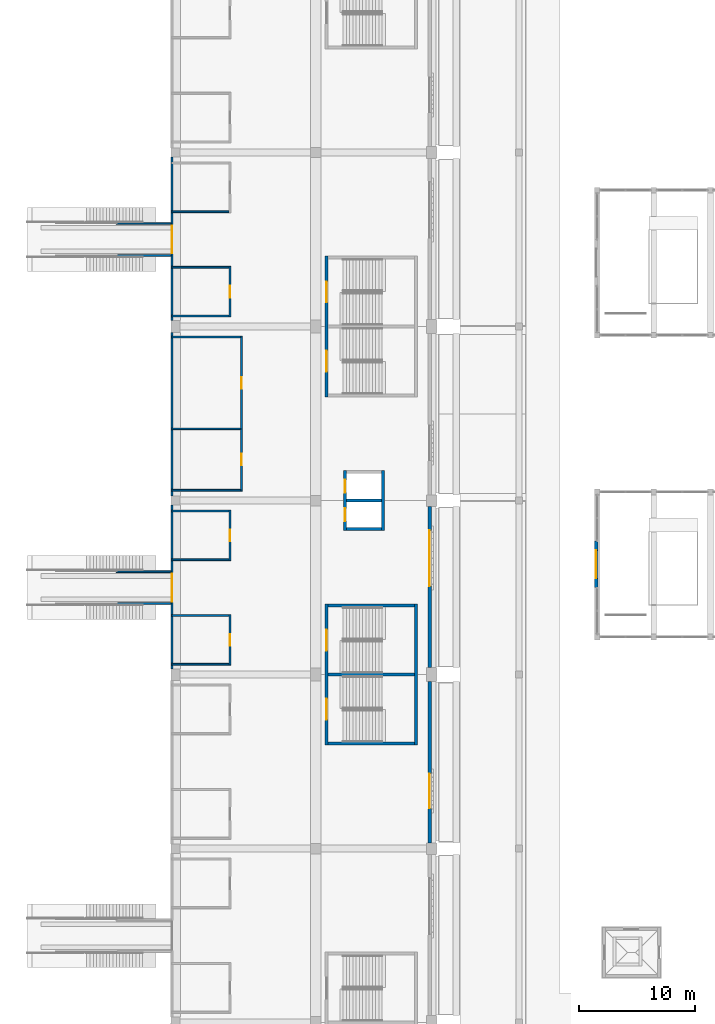
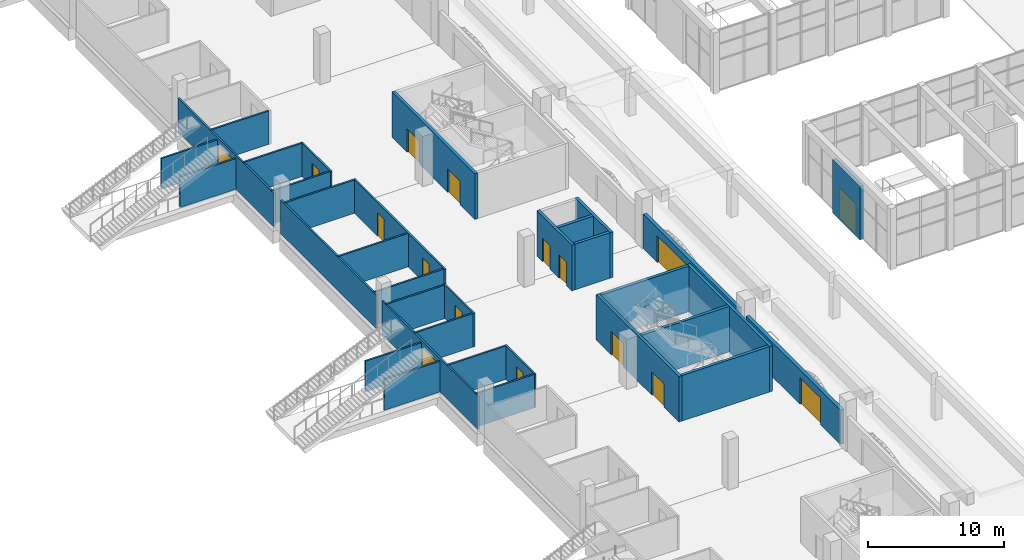
# One storey, part 34 of 175: 34 walls, 16 doors, 16 openings.
"""IFC4 building model written with IfcOpenShell, lengths in metres."""

from ifc_helpers import new_model, si_unit, direction, frame, frame_2d, origin, place, context, subcontext, project, spatial, rectangle, extrude, material, layer, layer_set, type_object, element, fill, save


model = new_model("IFC4")

# Units and contexts
model_context = context("Model", 3, precision=1e-05, world=origin(), true_north=direction((0.0, 1.0)))
body_context = subcontext(model_context, "Body", "Model", "MODEL_VIEW")
ifc_project = project(units=[si_unit("LENGTHUNIT", "METRE"), si_unit("AREAUNIT", "SQUARE_METRE"), si_unit("VOLUMEUNIT", "CUBIC_METRE"), si_unit("PLANEANGLEUNIT", "RADIAN"), si_unit("MASSUNIT", "GRAM", prefix="KILO")], contexts=[model_context])

# Site, building, storey
site_placement = place(None, origin())
site = spatial("IfcSite", under=ifc_project, at=site_placement, CompositionType="ELEMENT")
building_placement = place(site_placement, origin())
building = spatial("IfcBuilding", under=site, at=building_placement, Name="Ogive Plaza Stadium", CompositionType="ELEMENT")
storey_placement = place(building_placement, origin())
storey = spatial("IfcBuildingStorey", under=building, at=storey_placement, Name="L00", CompositionType="ELEMENT", Elevation=0.0)

# Wall, opening, door
ifc_material_1 = material(Name="Masonry blockwork", Category="masonry")
ifc_layer_1 = layer(ifc_material_1, 0.14990234375)
ifc_layer_set_1 = layer_set([ifc_layer_1], Name="Blockwork wall 150")
wall_type_1 = type_object("IfcWallType", Name="Blockwork wall 150", PredefinedType="SOLIDWALL", material=ifc_layer_set_1)
wall_1_placement = place(storey_placement, frame((66.60009765625, 8.324951171875, 0.0), z_axis=(0.0, 0.0, 1.0), x_axis=(0.0, 1.0, 0.0)))
wall_1 = element("IfcWall", 1, at=wall_1_placement, inside=storey, type_object=wall_type_1, Name="Wall L00 B03", PredefinedType="SOLIDWALL", context=body_context, shape_type="SweptSolid", body=[
    extrude(rectangle(XDim=4.35009765625, YDim=0.14990234375, at=frame_2d((2.175048828125, 0.0))), origin(), (0.0, 0.0, 1.0), 3.0),
])
opening_1_placement = place(wall_1_placement, frame((1.675048828125, 0.0, 0.0)))
opening_1 = element("IfcOpeningElement", 2, at=opening_1_placement, cuts=wall_1, Name="Opening D0379", PredefinedType="OPENING", context=body_context, shape_type="SweptSolid", body=[
    extrude(rectangle(XDim=1.0, YDim=2.10009765625, at=frame_2d((0.5, 1.050048828125))), frame((0.0, 0.074951171875, 0.0), z_axis=(0.0, -1.0, 0.0), x_axis=(1.0, 0.0, 0.0)), (0.0, 0.0, 1.0), 0.14990234375),
])
ifc_material_2 = material(Name="Steel ASTM A572 Grade 50", Category="steel")
door_type_1 = type_object("IfcDoorType", Name="Door 1000 x 2100", OperationType="SINGLE_SWING_LEFT", PredefinedType="DOOR", material=ifc_material_2)
door_1_placement = place(opening_1_placement, origin())
door_1 = element("IfcDoor", 3, at=door_1_placement, inside=storey, type_object=door_type_1, Name="Concession Stand B03 door", OperationType="SINGLE_SWING_LEFT", OverallHeight=2.10009765625, OverallWidth=1.0, PredefinedType="DOOR", context=body_context, shape_type="SweptSolid", body=[
    extrude(rectangle(XDim=1.0, YDim=2.10009765625, at=frame_2d((0.5, 1.050048828125))), frame((0.0, 0.02490234375, 0.0), z_axis=(0.0, -1.0, 0.0), x_axis=(1.0, 0.0, 0.0)), (0.0, 0.0, 1.0), 0.050048828125),
])
fill(opening_1, door_1)

# Walls
for number, where, z_axis, x_axis, name in (
    (4, (61.60009765625, 8.39990234375, 0.0), (0.0, 0.0, 1.0), (1.0, 0.0, 0.0), "Wall L00 B03"),
    (5, (61.60009765625, 12.60009765625, 0.0), (0.0, 0.0, 1.0), (1.0, 0.0, 0.0), "Wall L00 B03"),
    (6, (61.60009765625, 17.39990234375, 0.0), (0.0, 0.0, 1.0), (1.0, 0.0, 0.0), "Wall L00 B03"),
):
    element("IfcWall", number, at=place(storey_placement, frame(where, z_axis=z_axis, x_axis=x_axis)), inside=storey, type_object=wall_type_1, Name=name, PredefinedType="SOLIDWALL", context=body_context, shape_type="SweptSolid", body=[
        extrude(rectangle(XDim=4.9248046875, YDim=0.14990234375, at=frame_2d((2.46240234375, 0.0))), origin(), (0.0, 0.0, 1.0), 3.0),
    ])

# Wall, openings, doors
wall_2_placement = place(storey_placement, frame((67.60009765625, 6.675048828125, 0.0), z_axis=(0.0, 0.0, 1.0), x_axis=(0.0, -1.0, 0.0)))
wall_2 = element("IfcWall", 7, at=wall_2_placement, inside=storey, type_object=wall_type_1, Name="Wall L00 B04", PredefinedType="SOLIDWALL", context=body_context, shape_type="SweptSolid", body=[
    extrude(rectangle(XDim=13.35009765625, YDim=0.14990234375, at=frame_2d((6.675048828125, 0.0))), origin(), (0.0, 0.0, 1.0), 3.0),
])
opening_2_placement = place(wall_2_placement, frame((3.534912109375, 0.0, 0.0)))
opening_2 = element("IfcOpeningElement", 8, at=opening_2_placement, cuts=wall_2, Name="Opening D0381", PredefinedType="OPENING", context=body_context, shape_type="SweptSolid", body=[
    extrude(rectangle(XDim=1.0, YDim=2.10009765625, at=frame_2d((0.5, 1.050048828125))), frame((0.0, 0.074951171875, 0.0), z_axis=(0.0, -1.0, 0.0), x_axis=(1.0, 0.0, 0.0)), (0.0, 0.0, 1.0), 0.14990234375),
])
opening_3_placement = place(wall_2_placement, frame((10.135009765625, 0.0, 0.0)))
opening_3 = element("IfcOpeningElement", 9, at=opening_3_placement, cuts=wall_2, Name="Opening D0382", PredefinedType="OPENING", context=body_context, shape_type="SweptSolid", body=[
    extrude(rectangle(XDim=1.0, YDim=2.10009765625, at=frame_2d((0.5, 1.050048828125))), frame((0.0, 0.074951171875, 0.0), z_axis=(0.0, -1.0, 0.0), x_axis=(1.0, 0.0, 0.0)), (0.0, 0.0, 1.0), 0.14990234375),
])
door_2_placement = place(opening_3_placement, origin())
door_2 = element("IfcDoor", 10, at=door_2_placement, inside=storey, type_object=door_type_1, Name="Event Control Room B04 door", OperationType="SINGLE_SWING_LEFT", OverallHeight=2.10009765625, OverallWidth=1.0, PredefinedType="DOOR", context=body_context, shape_type="SweptSolid", body=[
    extrude(rectangle(XDim=1.0, YDim=2.10009765625, at=frame_2d((0.5, 1.050048828125))), frame((0.0, 0.02490234375, 0.0), z_axis=(0.0, -1.0, 0.0), x_axis=(1.0, 0.0, 0.0)), (0.0, 0.0, 1.0), 0.050048828125),
])
fill(opening_3, door_2)
ifc_material_3 = material(Name="Steel ASTM A572 Grade 50", Category="steel")
door_type_2 = type_object("IfcDoorType", Name="Fire door FD60 1000 x 2100", OperationType="SINGLE_SWING_LEFT", PredefinedType="DOOR", material=ifc_material_3)
door_3_placement = place(opening_2_placement, origin())
door_3 = element("IfcDoor", 11, at=door_3_placement, inside=storey, type_object=door_type_2, Name="Fire Command Centre B04 door", OperationType="SINGLE_SWING_RIGHT", OverallHeight=2.10009765625, OverallWidth=1.0, PredefinedType="DOOR", context=body_context, shape_type="SweptSolid", body=[
    extrude(rectangle(XDim=1.0, YDim=2.10009765625, at=frame_2d((0.5, 1.050048828125))), frame((0.0, 0.02490234375, 0.0), z_axis=(0.0, -1.0, 0.0), x_axis=(1.0, 0.0, 0.0)), (0.0, 0.0, 1.0), 0.050048828125),
])
fill(opening_2, door_3)

# Walls
for number, where, z_axis, x_axis, name in (
    (12, (61.60009765625, 6.60009765625, 0.0), (0.0, 0.0, 1.0), (1.0, 0.0, 0.0), "Wall L00 B04"),
    (13, (61.60009765625, -1.320068359375, 0.0), (0.0, 0.0, 1.0), (1.0, 0.0, 0.0), "Wall L00 B04"),
    (14, (61.60009765625, -6.60009765625, 0.0), (0.0, 0.0, 1.0), (1.0, 0.0, 0.0), "Wall L00 B04"),
):
    element("IfcWall", number, at=place(storey_placement, frame(where, z_axis=z_axis, x_axis=x_axis)), inside=storey, type_object=wall_type_1, Name=name, PredefinedType="SOLIDWALL", context=body_context, shape_type="SweptSolid", body=[
        extrude(rectangle(XDim=5.9248046875, YDim=0.14990234375, at=frame_2d((2.96240234375, 0.0))), origin(), (0.0, 0.0, 1.0), 3.0),
    ])

# Wall, opening, door
wall_3_placement = place(storey_placement, frame((66.60009765625, -21.675048828125, 0.0), z_axis=(0.0, 0.0, 1.0), x_axis=(0.0, 1.0, 0.0)))
wall_3 = element("IfcWall", 15, at=wall_3_placement, inside=storey, type_object=wall_type_1, Name="Wall L00 B05", PredefinedType="SOLIDWALL", context=body_context, shape_type="SweptSolid", body=[
    extrude(rectangle(XDim=4.35009765625, YDim=0.14990234375, at=frame_2d((2.175048828125, 0.0))), origin(), (0.0, 0.0, 1.0), 3.0),
])
opening_4_placement = place(wall_3_placement, frame((1.675048828125, 0.0, 0.0)))
opening_4 = element("IfcOpeningElement", 16, at=opening_4_placement, cuts=wall_3, Name="Opening D0383", PredefinedType="OPENING", context=body_context, shape_type="SweptSolid", body=[
    extrude(rectangle(XDim=1.0, YDim=2.10009765625, at=frame_2d((0.5, 1.050048828125))), frame((0.0, 0.074951171875, 0.0), z_axis=(0.0, -1.0, 0.0), x_axis=(1.0, 0.0, 0.0)), (0.0, 0.0, 1.0), 0.14990234375),
])
door_4_placement = place(opening_4_placement, origin())
door_4 = element("IfcDoor", 17, at=door_4_placement, inside=storey, type_object=door_type_1, Name="Concession Stand B05 door", OperationType="SINGLE_SWING_LEFT", OverallHeight=2.10009765625, OverallWidth=1.0, PredefinedType="DOOR", context=body_context, shape_type="SweptSolid", body=[
    extrude(rectangle(XDim=1.0, YDim=2.10009765625, at=frame_2d((0.5, 1.050048828125))), frame((0.0, 0.02490234375, 0.0), z_axis=(0.0, -1.0, 0.0), x_axis=(1.0, 0.0, 0.0)), (0.0, 0.0, 1.0), 0.050048828125),
])
fill(opening_4, door_4)

# Walls
for number, where, z_axis, x_axis, name in (
    (18, (61.60009765625, -21.60009765625, 0.0), (0.0, 0.0, 1.0), (1.0, 0.0, 0.0), "Wall L00 B05"),
    (19, (61.60009765625, -17.39990234375, 0.0), (0.0, 0.0, 1.0), (1.0, 0.0, 0.0), "Wall L00 B05"),
):
    element("IfcWall", number, at=place(storey_placement, frame(where, z_axis=z_axis, x_axis=x_axis)), inside=storey, type_object=wall_type_1, Name=name, PredefinedType="SOLIDWALL", context=body_context, shape_type="SweptSolid", body=[
        extrude(rectangle(XDim=4.9248046875, YDim=0.14990234375, at=frame_2d((2.46240234375, 0.0))), origin(), (0.0, 0.0, 1.0), 3.0),
    ])

# Wall, opening, door
wall_4_placement = place(storey_placement, frame((66.60009765625, -12.675048828125, 0.0), z_axis=(0.0, 0.0, 1.0), x_axis=(0.0, 1.0, 0.0)))
wall_4 = element("IfcWall", 20, at=wall_4_placement, inside=storey, type_object=wall_type_1, Name="Wall L00 B05", PredefinedType="SOLIDWALL", context=body_context, shape_type="SweptSolid", body=[
    extrude(rectangle(XDim=4.35009765625, YDim=0.14990234375, at=frame_2d((2.175048828125, 0.0))), origin(), (0.0, 0.0, 1.0), 3.0),
])
opening_5_placement = place(wall_4_placement, frame((1.675048828125, 0.0, 0.0)))
opening_5 = element("IfcOpeningElement", 21, at=opening_5_placement, cuts=wall_4, Name="Opening D0384", PredefinedType="OPENING", context=body_context, shape_type="SweptSolid", body=[
    extrude(rectangle(XDim=1.0, YDim=2.10009765625, at=frame_2d((0.5, 1.050048828125))), frame((0.0, 0.074951171875, 0.0), z_axis=(0.0, -1.0, 0.0), x_axis=(1.0, 0.0, 0.0)), (0.0, 0.0, 1.0), 0.14990234375),
])
door_5_placement = place(opening_5_placement, origin())
door_5 = element("IfcDoor", 22, at=door_5_placement, inside=storey, type_object=door_type_1, Name="Concession Stand B05 door", OperationType="SINGLE_SWING_RIGHT", OverallHeight=2.10009765625, OverallWidth=1.0, PredefinedType="DOOR", context=body_context, shape_type="SweptSolid", body=[
    extrude(rectangle(XDim=1.0, YDim=2.10009765625, at=frame_2d((0.5, 1.050048828125))), frame((0.0, 0.02490234375, 0.0), z_axis=(0.0, -1.0, 0.0), x_axis=(1.0, 0.0, 0.0)), (0.0, 0.0, 1.0), 0.050048828125),
])
fill(opening_5, door_5)

# Walls
for number, where, z_axis, x_axis, name in (
    (23, (61.60009765625, -12.60009765625, 0.0), (0.0, 0.0, 1.0), (1.0, 0.0, 0.0), "Wall L00 B05"),
    (24, (61.60009765625, -8.39990234375, 0.0), (0.0, 0.0, 1.0), (1.0, 0.0, 0.0), "Wall L00 B05"),
):
    element("IfcWall", number, at=place(storey_placement, frame(where, z_axis=z_axis, x_axis=x_axis)), inside=storey, type_object=wall_type_1, Name=name, PredefinedType="SOLIDWALL", context=body_context, shape_type="SweptSolid", body=[
        extrude(rectangle(XDim=4.9248046875, YDim=0.14990234375, at=frame_2d((2.46240234375, 0.0))), origin(), (0.0, 0.0, 1.0), 3.0),
    ])

# Wall, opening, door
wall_5_placement = place(storey_placement, frame((61.60009765625, 22.10009765625, 0.0), z_axis=(0.0, 0.0, 1.0), x_axis=(0.0, -1.0, 0.0)))
wall_5 = element("IfcWall", 25, at=wall_5_placement, inside=storey, type_object=wall_type_1, Name="Stand rear wall B03", PredefinedType="SOLIDWALL", context=body_context, shape_type="SweptSolid", body=[
    extrude(rectangle(XDim=14.10009765625, YDim=0.14990234375, at=frame_2d((7.050048828125, 0.0))), origin(), (0.0, 0.0, 1.0), 3.0),
])
opening_6_placement = place(wall_5_placement, frame((5.89990234375, 0.0, 0.0)))
opening_6 = element("IfcOpeningElement", 26, at=opening_6_placement, cuts=wall_5, Name="Opening D1038", PredefinedType="OPENING", context=body_context, shape_type="SweptSolid", body=[
    extrude(rectangle(XDim=2.39990234375, YDim=2.39990234375, at=frame_2d((1.199951171875, 1.199951171875))), frame((0.0, 0.074951171875, 0.0), z_axis=(0.0, -1.0, 0.0), x_axis=(1.0, 0.0, 0.0)), (0.0, 0.0, 1.0), 0.14990234375),
])
ifc_material_4 = material(Name="Steel ASTM A572 Grade 50", Category="steel")
door_type_3 = type_object("IfcDoorType", Name="Service door pair 2400 x 2400", OperationType="DOUBLE_DOOR_SINGLE_SWING", PredefinedType="DOOR", material=ifc_material_4)
door_6_placement = place(opening_6_placement, origin())
door_6 = element("IfcDoor", 27, at=door_6_placement, inside=storey, type_object=door_type_3, Name="Vomitory portal door B03", OperationType="DOUBLE_DOOR_SINGLE_SWING", OverallHeight=2.39990234375, OverallWidth=2.39990234375, PredefinedType="DOOR", context=body_context, shape_type="SweptSolid", body=[
    extrude(rectangle(XDim=2.39990234375, YDim=2.39990234375, at=frame_2d((1.199951171875, 1.199951171875))), frame((0.0, 0.02490234375, 0.0), z_axis=(0.0, -1.0, 0.0), x_axis=(1.0, 0.0, 0.0)), (0.0, 0.0, 1.0), 0.050048828125),
])
fill(opening_6, door_6)

# Wall
wall_6_placement = place(storey_placement, frame((61.60009765625, 7.0, 0.0), z_axis=(0.0, 0.0, 1.0), x_axis=(0.0, -1.0, 0.0)))
element("IfcWall", 28, at=wall_6_placement, inside=storey, type_object=wall_type_1, Name="Stand rear wall B04", PredefinedType="SOLIDWALL", context=body_context, shape_type="SweptSolid", body=[
    extrude(rectangle(XDim=14.10009765625, YDim=0.14990234375, at=frame_2d((7.050048828125, 0.0))), origin(), (0.0, 0.0, 1.0), 3.0),
])

# Wall, opening, door
wall_7_placement = place(storey_placement, frame((61.60009765625, -7.89990234375, 0.0), z_axis=(0.0, 0.0, 1.0), x_axis=(0.0, -1.0, 0.0)))
wall_7 = element("IfcWall", 29, at=wall_7_placement, inside=storey, type_object=wall_type_1, Name="Stand rear wall B05", PredefinedType="SOLIDWALL", context=body_context, shape_type="SweptSolid", body=[
    extrude(rectangle(XDim=14.10009765625, YDim=0.14990234375, at=frame_2d((7.050048828125, 0.0))), origin(), (0.0, 0.0, 1.0), 3.0),
])
opening_7_placement = place(wall_7_placement, frame((5.89990234375, 0.0, 0.0)))
opening_7 = element("IfcOpeningElement", 30, at=opening_7_placement, cuts=wall_7, Name="Opening D1039", PredefinedType="OPENING", context=body_context, shape_type="SweptSolid", body=[
    extrude(rectangle(XDim=2.39990234375, YDim=2.39990234375, at=frame_2d((1.199951171875, 1.199951171875))), frame((0.0, 0.074951171875, 0.0), z_axis=(0.0, -1.0, 0.0), x_axis=(1.0, 0.0, 0.0)), (0.0, 0.0, 1.0), 0.14990234375),
])
door_7_placement = place(opening_7_placement, origin())
door_7 = element("IfcDoor", 31, at=door_7_placement, inside=storey, type_object=door_type_3, Name="Vomitory portal door B05", OperationType="DOUBLE_DOOR_SINGLE_SWING", OverallHeight=2.39990234375, OverallWidth=2.39990234375, PredefinedType="DOOR", context=body_context, shape_type="SweptSolid", body=[
    extrude(rectangle(XDim=2.39990234375, YDim=2.39990234375, at=frame_2d((1.199951171875, 1.199951171875))), frame((0.0, 0.02490234375, 0.0), z_axis=(0.0, -1.0, 0.0), x_axis=(1.0, 0.0, 0.0)), (0.0, 0.0, 1.0), 0.050048828125),
])
fill(opening_7, door_7)

# Wall, openings, doors
ifc_material_5 = material(Name="Concrete C40/50", Category="concrete")
ifc_layer_2 = layer(ifc_material_5, 0.25)
ifc_layer_set_2 = layer_set([ifc_layer_2], Name="Concrete C40/50")
wall_type_2 = type_object("IfcWallType", Name="Core wall 250", PredefinedType="SHEAR", material=ifc_layer_set_2)
wall_8_placement = place(storey_placement, frame((74.925048828125, 1.425048828125, 0.0), z_axis=(0.0, 0.0, 1.0), x_axis=(0.0, 1.0, 0.0)))
wall_8 = element("IfcWall", 32, at=wall_8_placement, inside=storey, type_object=wall_type_2, Name="Stair core R04 inner wall", PredefinedType="SHEAR", context=body_context, shape_type="SweptSolid", body=[
    extrude(rectangle(XDim=12.14990234375, YDim=0.25, at=frame_2d((6.074951171875, 0.0))), origin(), (0.0, 0.0, 1.0), 4.090087890625),
])
opening_8_placement = place(wall_8_placement, frame((2.199951171875, 0.0, 0.0)))
opening_8 = element("IfcOpeningElement", 33, at=opening_8_placement, cuts=wall_8, Name="Opening D0055", PredefinedType="OPENING", context=body_context, shape_type="SweptSolid", body=[
    extrude(rectangle(XDim=1.800048828125, YDim=2.10009765625, at=frame_2d((0.89990234375, 1.050048828125))), frame((0.0, 0.125, 0.0), z_axis=(0.0, -1.0, 0.0), x_axis=(1.0, 0.0, 0.0)), (0.0, 0.0, 1.0), 0.25),
])
opening_9_placement = place(wall_8_placement, frame((8.14990234375, 0.0, 0.0)))
opening_9 = element("IfcOpeningElement", 34, at=opening_9_placement, cuts=wall_8, Name="Opening D0056", PredefinedType="OPENING", context=body_context, shape_type="SweptSolid", body=[
    extrude(rectangle(XDim=1.800048828125, YDim=2.10009765625, at=frame_2d((0.89990234375, 1.050048828125))), frame((0.0, 0.125, 0.0), z_axis=(0.0, -1.0, 0.0), x_axis=(1.0, 0.0, 0.0)), (0.0, 0.0, 1.0), 0.25),
])
ifc_material_6 = material(Name="Steel ASTM A572 Grade 50", Category="steel")
door_type_4 = type_object("IfcDoorType", Name="Fire door FD90 pair 1800 x 2100", OperationType="DOUBLE_DOOR_SINGLE_SWING", PredefinedType="DOOR", material=ifc_material_6)
door_8_placement = place(opening_8_placement, origin())
door_8 = element("IfcDoor", 35, at=door_8_placement, inside=storey, type_object=door_type_4, Name="Exit stair R04A door L00", OperationType="DOUBLE_DOOR_SINGLE_SWING", OverallHeight=2.10009765625, OverallWidth=1.800048828125, PredefinedType="DOOR", context=body_context, shape_type="SweptSolid", body=[
    extrude(rectangle(XDim=1.800048828125, YDim=2.10009765625, at=frame_2d((0.89990234375, 1.050048828125))), frame((0.0, 0.02490234375, 0.0), z_axis=(0.0, -1.0, 0.0), x_axis=(1.0, 0.0, 0.0)), (0.0, 0.0, 1.0), 0.050048828125),
])
fill(opening_8, door_8)
door_9_placement = place(opening_9_placement, origin())
door_9 = element("IfcDoor", 36, at=door_9_placement, inside=storey, type_object=door_type_4, Name="Exit stair R04B door L00", OperationType="DOUBLE_DOOR_SINGLE_SWING", OverallHeight=2.10009765625, OverallWidth=1.800048828125, PredefinedType="DOOR", context=body_context, shape_type="SweptSolid", body=[
    extrude(rectangle(XDim=1.800048828125, YDim=2.10009765625, at=frame_2d((0.89990234375, 1.050048828125))), frame((0.0, 0.02490234375, 0.0), z_axis=(0.0, -1.0, 0.0), x_axis=(1.0, 0.0, 0.0)), (0.0, 0.0, 1.0), 0.050048828125),
])
fill(opening_9, door_9)

wall_9_placement = place(storey_placement, frame((74.925048828125, -28.574951171875, 0.0), z_axis=(0.0, 0.0, 1.0), x_axis=(0.0, 1.0, 0.0)))
wall_9 = element("IfcWall", 37, at=wall_9_placement, inside=storey, type_object=wall_type_2, Name="Stair core R06 inner wall", PredefinedType="SHEAR", context=body_context, shape_type="SweptSolid", body=[
    extrude(rectangle(XDim=12.14990234375, YDim=0.25, at=frame_2d((6.074951171875, 0.0))), origin(), (0.0, 0.0, 1.0), 4.090087890625),
])
opening_10_placement = place(wall_9_placement, frame((2.199951171875, 0.0, 0.0)))
opening_10 = element("IfcOpeningElement", 38, at=opening_10_placement, cuts=wall_9, Name="Opening D0069", PredefinedType="OPENING", context=body_context, shape_type="SweptSolid", body=[
    extrude(rectangle(XDim=1.800048828125, YDim=2.10009765625, at=frame_2d((0.89990234375, 1.050048828125))), frame((0.0, 0.125, 0.0), z_axis=(0.0, -1.0, 0.0), x_axis=(1.0, 0.0, 0.0)), (0.0, 0.0, 1.0), 0.25),
])
opening_11_placement = place(wall_9_placement, frame((8.14990234375, 0.0, 0.0)))
opening_11 = element("IfcOpeningElement", 39, at=opening_11_placement, cuts=wall_9, Name="Opening D0070", PredefinedType="OPENING", context=body_context, shape_type="SweptSolid", body=[
    extrude(rectangle(XDim=1.800048828125, YDim=2.10009765625, at=frame_2d((0.89990234375, 1.050048828125))), frame((0.0, 0.125, 0.0), z_axis=(0.0, -1.0, 0.0), x_axis=(1.0, 0.0, 0.0)), (0.0, 0.0, 1.0), 0.25),
])
door_10_placement = place(opening_10_placement, origin())
door_10 = element("IfcDoor", 40, at=door_10_placement, inside=storey, type_object=door_type_4, Name="Exit stair R06A door L00", OperationType="DOUBLE_DOOR_SINGLE_SWING", OverallHeight=2.10009765625, OverallWidth=1.800048828125, PredefinedType="DOOR", context=body_context, shape_type="SweptSolid", body=[
    extrude(rectangle(XDim=1.800048828125, YDim=2.10009765625, at=frame_2d((0.89990234375, 1.050048828125))), frame((0.0, 0.02490234375, 0.0), z_axis=(0.0, -1.0, 0.0), x_axis=(1.0, 0.0, 0.0)), (0.0, 0.0, 1.0), 0.050048828125),
])
fill(opening_10, door_10)
door_11_placement = place(opening_11_placement, origin())
door_11 = element("IfcDoor", 41, at=door_11_placement, inside=storey, type_object=door_type_4, Name="Exit stair R06B door L00", OperationType="DOUBLE_DOOR_SINGLE_SWING", OverallHeight=2.10009765625, OverallWidth=1.800048828125, PredefinedType="DOOR", context=body_context, shape_type="SweptSolid", body=[
    extrude(rectangle(XDim=1.800048828125, YDim=2.10009765625, at=frame_2d((0.89990234375, 1.050048828125))), frame((0.0, 0.02490234375, 0.0), z_axis=(0.0, -1.0, 0.0), x_axis=(1.0, 0.0, 0.0)), (0.0, 0.0, 1.0), 0.050048828125),
])
fill(opening_11, door_11)

# Walls
wall_10_placement = place(storey_placement, frame((82.635009765625, -28.574951171875, 0.0), z_axis=(0.0, 0.0, 1.0), x_axis=(0.0, 1.0, 0.0)))
element("IfcWall", 42, at=wall_10_placement, inside=storey, type_object=wall_type_2, Name="Stair core R06 outer wall", PredefinedType="SHEAR", context=body_context, shape_type="SweptSolid", body=[
    extrude(rectangle(XDim=12.14990234375, YDim=0.25, at=frame_2d((6.074951171875, 0.0))), origin(), (0.0, 0.0, 1.0), 4.090087890625),
])
for number, where, z_axis, x_axis, name in (
    (43, (75.050048828125, -28.449951171875, 0.0), (0.0, 0.0, 1.0), (1.0, 0.0, 0.0), "Stair core R06 side wall"),
    (44, (75.050048828125, -16.550048828125, 0.0), (0.0, 0.0, 1.0), (1.0, 0.0, 0.0), "Stair core R06 side wall"),
    (45, (75.050048828125, -22.5, 0.0), (0.0, 0.0, 1.0), (1.0, 0.0, 0.0), "Stair core R06 centre wall"),
):
    element("IfcWall", number, at=place(storey_placement, frame(where, z_axis=z_axis, x_axis=x_axis)), inside=storey, type_object=wall_type_2, Name=name, PredefinedType="SHEAR", context=body_context, shape_type="SweptSolid", body=[
        extrude(rectangle(XDim=7.4599609375, YDim=0.25, at=frame_2d((3.72998046875, 0.0))), origin(), (0.0, 0.0, 1.0), 4.090087890625),
    ])

# Wall, openings, doors
wall_11_placement = place(storey_placement, frame((76.52490234375, -10.074951171875, 0.0), z_axis=(0.0, 0.0, 1.0), x_axis=(0.0, 1.0, 0.0)))
wall_11 = element("IfcWall", 46, at=wall_11_placement, inside=storey, type_object=wall_type_2, Name="Lift core LP05 landing wall", PredefinedType="SHEAR", context=body_context, shape_type="SweptSolid", body=[
    extrude(rectangle(XDim=5.14990234375, YDim=0.25, at=frame_2d((2.574951171875, 0.0))), origin(), (0.0, 0.0, 1.0), 4.090087890625),
])
opening_12_placement = place(wall_11_placement, frame((0.800048828125, 0.0, 0.0)))
opening_12 = element("IfcOpeningElement", 47, at=opening_12_placement, cuts=wall_11, Name="Opening LD009", PredefinedType="OPENING", context=body_context, shape_type="SweptSolid", body=[
    extrude(rectangle(XDim=1.10009765625, YDim=2.10009765625, at=frame_2d((0.550048828125, 1.050048828125))), frame((0.0, 0.125, 0.0), z_axis=(0.0, -1.0, 0.0), x_axis=(1.0, 0.0, 0.0)), (0.0, 0.0, 1.0), 0.25),
])
opening_13_placement = place(wall_11_placement, frame((3.25, 0.0, 0.0)))
opening_13 = element("IfcOpeningElement", 48, at=opening_13_placement, cuts=wall_11, Name="Opening LD010", PredefinedType="OPENING", context=body_context, shape_type="SweptSolid", body=[
    extrude(rectangle(XDim=1.10009765625, YDim=2.10009765625, at=frame_2d((0.550048828125, 1.050048828125))), frame((0.0, 0.125, 0.0), z_axis=(0.0, -1.0, 0.0), x_axis=(1.0, 0.0, 0.0)), (0.0, 0.0, 1.0), 0.25),
])
ifc_material_7 = material(Name="Steel ASTM A572 Grade 50", Category="steel")
door_type_5 = type_object("IfcDoorType", Name="Landing door 1100 x 2100", OperationType="SLIDING_TO_LEFT", PredefinedType="DOOR", material=ifc_material_7)
door_12_placement = place(opening_12_placement, origin())
door_12 = element("IfcDoor", 49, at=door_12_placement, inside=storey, type_object=door_type_5, Name="Lift landing door LP05 L00", OperationType="SLIDING_TO_LEFT", OverallHeight=2.10009765625, OverallWidth=1.10009765625, PredefinedType="DOOR", context=body_context, shape_type="SweptSolid", body=[
    extrude(rectangle(XDim=1.10009765625, YDim=2.10009765625, at=frame_2d((0.550048828125, 1.050048828125))), frame((0.0, 0.02490234375, 0.0), z_axis=(0.0, -1.0, 0.0), x_axis=(1.0, 0.0, 0.0)), (0.0, 0.0, 1.0), 0.050048828125),
])
fill(opening_12, door_12)
door_13_placement = place(opening_13_placement, origin())
door_13 = element("IfcDoor", 50, at=door_13_placement, inside=storey, type_object=door_type_5, Name="Lift landing door LP05 L00", OperationType="SLIDING_TO_LEFT", OverallHeight=2.10009765625, OverallWidth=1.10009765625, PredefinedType="DOOR", context=body_context, shape_type="SweptSolid", body=[
    extrude(rectangle(XDim=1.10009765625, YDim=2.10009765625, at=frame_2d((0.550048828125, 1.050048828125))), frame((0.0, 0.02490234375, 0.0), z_axis=(0.0, -1.0, 0.0), x_axis=(1.0, 0.0, 0.0)), (0.0, 0.0, 1.0), 0.050048828125),
])
fill(opening_13, door_13)

# Walls
wall_12_placement = place(storey_placement, frame((79.77490234375, -10.074951171875, 0.0), z_axis=(0.0, 0.0, 1.0), x_axis=(0.0, 1.0, 0.0)))
element("IfcWall", 51, at=wall_12_placement, inside=storey, type_object=wall_type_2, Name="Lift core LP05 rear wall", PredefinedType="SHEAR", context=body_context, shape_type="SweptSolid", body=[
    extrude(rectangle(XDim=5.14990234375, YDim=0.25, at=frame_2d((2.574951171875, 0.0))), origin(), (0.0, 0.0, 1.0), 4.090087890625),
])
for number, where, z_axis, x_axis, name in (
    (52, (76.64990234375, -9.949951171875, 0.0), (0.0, 0.0, 1.0), (1.0, 0.0, 0.0), "Lift core LP05 side wall"),
    (53, (76.64990234375, -7.5, 0.0), (0.0, 0.0, 1.0), (1.0, 0.0, 0.0), "Lift core LP05 centre wall"),
):
    element("IfcWall", number, at=place(storey_placement, frame(where, z_axis=z_axis, x_axis=x_axis)), inside=storey, type_object=wall_type_2, Name=name, PredefinedType="SHEAR", context=body_context, shape_type="SweptSolid", body=[
        extrude(rectangle(XDim=3.0, YDim=0.25, at=frame_2d((1.5, 0.0))), origin(), (0.0, 0.0, 1.0), 4.090087890625),
    ])

# Wall, opening, door
ifc_material_8 = material(Name="Concrete C45/55 precast", Category="concrete")
ifc_layer_3 = layer(ifc_material_8, 0.25)
ifc_material_9 = material(Name="Cast stone (reconstituted limestone)", Category="masonry")
ifc_layer_4 = layer(ifc_material_9, 0.050048828125)
ifc_layer_set_3 = layer_set([ifc_layer_3, ifc_layer_4], Name="Concrete C45/55 precast, cast stone facing")
wall_type_3 = type_object("IfcWallType", Name="Headhouse wall 300", PredefinedType="SOLIDWALL", material=ifc_layer_set_3)
wall_13_placement = place(storey_placement, frame((98.14990234375, -15.0, 0.0), z_axis=(0.0, 0.0, 1.0), x_axis=(0.0, 1.0, 0.0)))
wall_13 = element("IfcWall", 54, at=wall_13_placement, inside=storey, type_object=wall_type_3, Name="Headhouse wall 300 L00 west", PredefinedType="SOLIDWALL", context=body_context, shape_type="SweptSolid", body=[
    extrude(rectangle(XDim=4.0, YDim=0.300048828125, at=frame_2d((2.0, 0.0))), origin(), (0.0, 0.0, 1.0), 4.800048828125),
])
opening_14_placement = place(wall_13_placement, frame((0.800048828125, 0.0, 0.0)))
opening_14 = element("IfcOpeningElement", 55, at=opening_14_placement, cuts=wall_13, Name="Opening HE1W", PredefinedType="OPENING", context=body_context, shape_type="SweptSolid", body=[
    extrude(rectangle(XDim=2.39990234375, YDim=2.699951171875, at=frame_2d((1.199951171875, 1.35009765625))), frame((0.0, 0.14990234375, 0.0), z_axis=(0.0, -1.0, 0.0), x_axis=(1.0, 0.0, 0.0)), (0.0, 0.0, 1.0), 0.300048828125),
])
ifc_material_10 = material(Name="Aluminium and laminated glass door set", Category="aluminium")
door_type_6 = type_object("IfcDoorType", Name="Entrance door double 2400 x 2700", OperationType="DOUBLE_DOOR_SINGLE_SWING", PredefinedType="DOOR", material=ifc_material_10)
door_14_placement = place(opening_14_placement, origin())
door_14 = element("IfcDoor", 56, at=door_14_placement, inside=storey, type_object=door_type_6, Name="Headhouse 1 entrance W", OperationType="DOUBLE_DOOR_SINGLE_SWING", OverallHeight=2.699951171875, OverallWidth=2.39990234375, PredefinedType="DOOR", context=body_context, shape_type="SweptSolid", body=[
    extrude(rectangle(XDim=2.39990234375, YDim=2.699951171875, at=frame_2d((1.199951171875, 1.35009765625))), frame((0.0, 0.02490234375, 0.0), z_axis=(0.0, -1.0, 0.0), x_axis=(1.0, 0.0, 0.0)), (0.0, 0.0, 1.0), 0.050048828125),
])
fill(opening_14, door_14)

ifc_material_11 = material(Name="Concrete C45/55 precast", Category="concrete")
ifc_layer_5 = layer(ifc_material_11, 0.25)
ifc_material_12 = material(Name="Cast stone (reconstituted limestone)", Category="masonry")
ifc_layer_6 = layer(ifc_material_12, 0.050048828125)
ifc_layer_set_4 = layer_set([ifc_layer_5, ifc_layer_6], Name="Concrete C45/55 precast, cast stone facing")
wall_type_4 = type_object("IfcWallType", Name="Portal infill wall 300", PredefinedType="SOLIDWALL", material=ifc_layer_set_4)
wall_14_placement = place(storey_placement, frame((83.800048828125, -8.0, 0.0), z_axis=(0.0, 0.0, 1.0), x_axis=(0.0, -1.0, 0.0)))
wall_14 = element("IfcWall", 57, at=wall_14_placement, inside=storey, type_object=wall_type_4, Name="PORTAL WALL B05", PredefinedType="SOLIDWALL", context=body_context, shape_type="SweptSolid", body=[
    extrude(rectangle(XDim=13.89990234375, YDim=0.300048828125, at=frame_2d((6.949951171875, 0.0))), origin(), (0.0, 0.0, 1.0), 3.090087890625),
])
opening_15_placement = place(wall_14_placement, frame((2.0625, 0.0, 0.0)))
opening_15 = element("IfcOpeningElement", 58, at=opening_15_placement, cuts=wall_14, Name="Opening D0005", PredefinedType="OPENING", context=body_context, shape_type="SweptSolid", body=[
    extrude(rectangle(XDim=4.800048828125, YDim=2.39990234375, at=frame_2d((2.39990234375, 1.199951171875))), frame((0.0, 0.16015625, 0.0), z_axis=(0.0, -1.0, 0.0), x_axis=(1.0, 0.0, 0.0)), (0.0, 0.0, 1.0), 0.320068359375),
])
ifc_material_13 = material(Name="Bronze-anodised aluminium and laminated glass", Category="aluminium")
door_type_7 = type_object("IfcDoorType", Name="Entrance door pair 4800 x 2400", OperationType="DOUBLE_DOOR_SINGLE_SWING", PredefinedType="DOOR", material=ifc_material_13)
door_15_placement = place(opening_15_placement, origin())
door_15 = element("IfcDoor", 59, at=door_15_placement, inside=storey, type_object=door_type_7, Name="Main entrance E3", OperationType="DOUBLE_DOOR_SINGLE_SWING", OverallHeight=2.39990234375, OverallWidth=4.800048828125, PredefinedType="DOOR", context=body_context, shape_type="SweptSolid", body=[
    extrude(rectangle(XDim=4.800048828125, YDim=2.39990234375, at=frame_2d((2.39990234375, 1.199951171875))), frame((0.0, 0.02490234375, 0.0), z_axis=(0.0, -1.0, 0.0), x_axis=(1.0, 0.0, 0.0)), (0.0, 0.0, 1.0), 0.050048828125),
])
fill(opening_15, door_15)

wall_15_placement = place(storey_placement, frame((83.800048828125, -23.10009765625, 0.0), z_axis=(0.0, 0.0, 1.0), x_axis=(0.0, -1.0, 0.0)))
wall_15 = element("IfcWall", 60, at=wall_15_placement, inside=storey, type_object=wall_type_4, Name="PORTAL WALL B06", PredefinedType="SOLIDWALL", context=body_context, shape_type="SweptSolid", body=[
    extrude(rectangle(XDim=13.89990234375, YDim=0.300048828125, at=frame_2d((6.949951171875, 0.0))), origin(), (0.0, 0.0, 1.0), 3.090087890625),
])
opening_16_placement = place(wall_15_placement, frame((7.9375, 0.0, 0.0)))
opening_16 = element("IfcOpeningElement", 61, at=opening_16_placement, cuts=wall_15, Name="Opening D0006", PredefinedType="OPENING", context=body_context, shape_type="SweptSolid", body=[
    extrude(rectangle(XDim=3.0, YDim=2.39990234375, at=frame_2d((1.5, 1.199951171875))), frame((0.0, 0.16015625, 0.0), z_axis=(0.0, -1.0, 0.0), x_axis=(1.0, 0.0, 0.0)), (0.0, 0.0, 1.0), 0.320068359375),
])
ifc_material_14 = material(Name="Bronze-anodised aluminium and laminated glass", Category="aluminium")
door_type_8 = type_object("IfcDoorType", Name="Exit gate door pair 3000 x 2400", OperationType="DOUBLE_DOOR_SINGLE_SWING", PredefinedType="DOOR", material=ifc_material_14)
door_16_placement = place(opening_16_placement, origin())
door_16 = element("IfcDoor", 62, at=door_16_placement, inside=storey, type_object=door_type_8, Name="Pedestrian exit gate G3", OperationType="DOUBLE_DOOR_SINGLE_SWING", OverallHeight=2.39990234375, OverallWidth=3.0, PredefinedType="DOOR", context=body_context, shape_type="SweptSolid", body=[
    extrude(rectangle(XDim=3.0, YDim=2.39990234375, at=frame_2d((1.5, 1.199951171875))), frame((0.0, 0.02490234375, 0.0), z_axis=(0.0, -1.0, 0.0), x_axis=(1.0, 0.0, 0.0)), (0.0, 0.0, 1.0), 0.050048828125),
])
fill(opening_16, door_16)

# Walls
ifc_material_15 = material(Name="Concrete C40/50", Category="concrete")
ifc_layer_7 = layer(ifc_material_15, 0.14990234375)
ifc_layer_set_5 = layer_set([ifc_layer_7], Name="Concrete C40/50")
wall_type_5 = type_object("IfcWallType", Name="Vomitory wall 150", PredefinedType="SOLIDWALL", material=ifc_layer_set_5)
for number, where, z_axis, x_axis, name in (
    (63, (56.800048828125, 13.6298828125, 0.0), (0.0, 0.0, 1.0), (1.0, 0.0, 0.0), "Vomitory tunnel wall B03"),
    (64, (56.800048828125, 16.3701171875, 0.0), (0.0, 0.0, 1.0), (1.0, 0.0, 0.0), "Vomitory tunnel wall B03"),
    (65, (56.800048828125, -16.3701171875, 0.0), (0.0, 0.0, 1.0), (1.0, 0.0, 0.0), "Vomitory tunnel wall B05"),
    (66, (56.800048828125, -13.6298828125, 0.0), (0.0, 0.0, 1.0), (1.0, 0.0, 0.0), "Vomitory tunnel wall B05"),
):
    element("IfcWall", number, at=place(storey_placement, frame(where, z_axis=z_axis, x_axis=x_axis)), inside=storey, type_object=wall_type_5, Name=name, PredefinedType="SOLIDWALL", context=body_context, shape_type="SweptSolid", body=[
        extrude(rectangle(XDim=4.724853515625, YDim=0.14990234375, at=frame_2d((2.3623046875, 0.0))), origin(), (0.0, 0.0, 1.0), 2.75),
    ])

save(model, "model.ifc")
